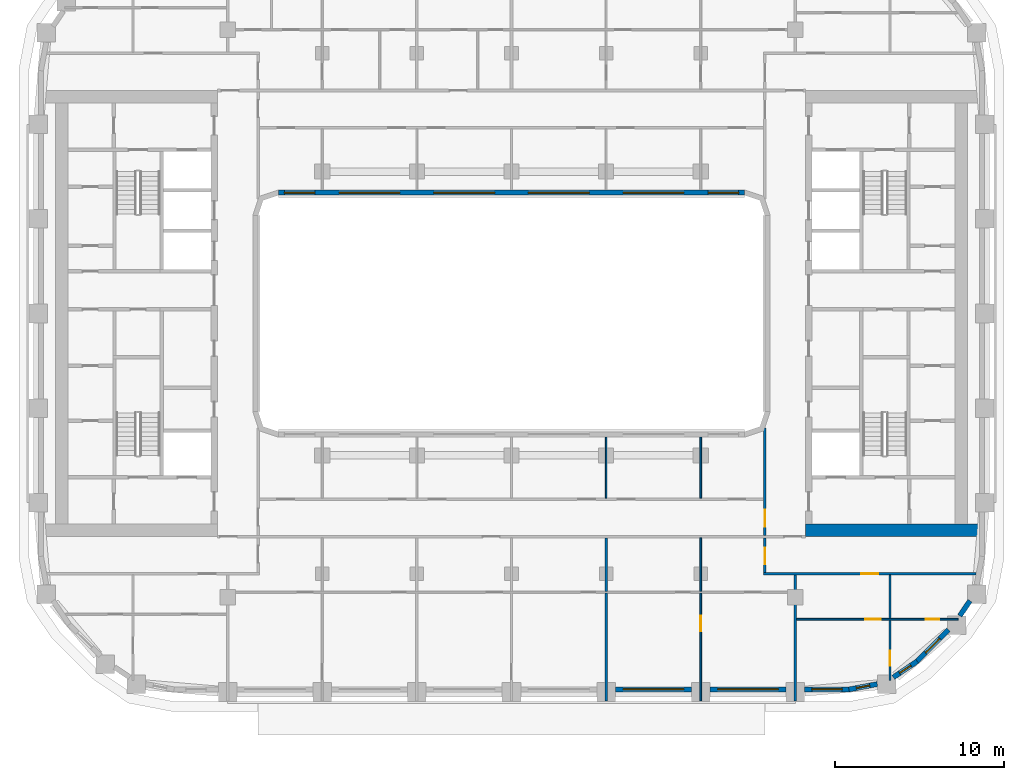
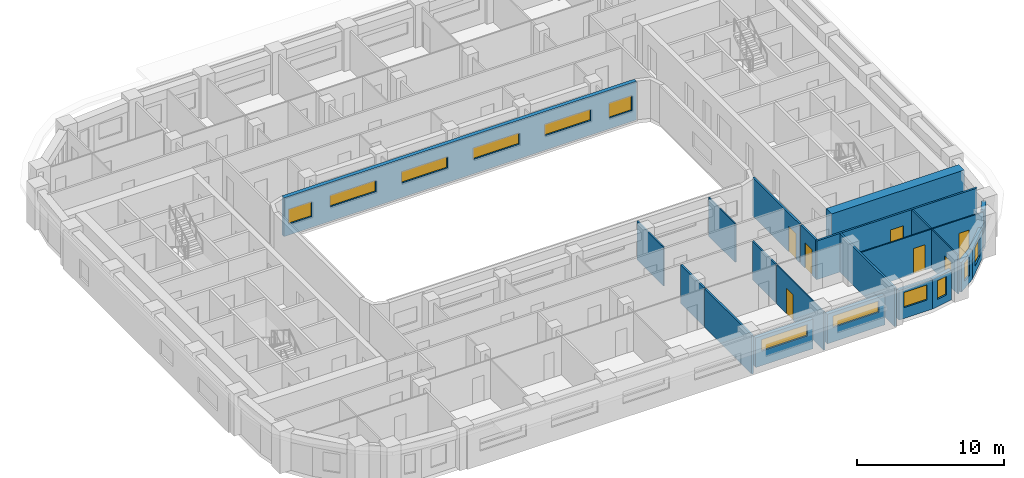
# One storey, part 5 of 22: 22 walls, 12 windows, 7 doors, 19 openings.
"""IFC4 building model written with IfcOpenShell, lengths in metres."""

from ifc_helpers import new_model, si_unit, direction, frame, frame_2d, origin, place, context, subcontext, project, spatial, rectangle, extrude, material, layer, layer_set, type_object, element, fill, save


model = new_model("IFC4")

# Units and contexts
model_context = context("Model", 3, precision=1e-05, world=origin(), true_north=direction((0.0, 1.0)))
body_context = subcontext(model_context, "Body", "Model", "MODEL_VIEW")
ifc_project = project(units=[si_unit("LENGTHUNIT", "METRE"), si_unit("AREAUNIT", "SQUARE_METRE"), si_unit("VOLUMEUNIT", "CUBIC_METRE"), si_unit("PLANEANGLEUNIT", "RADIAN"), si_unit("MASSUNIT", "GRAM", prefix="KILO")], contexts=[model_context])

# Site, building, storey
site_placement = place(None, origin())
site = spatial("IfcSite", under=ifc_project, at=site_placement, CompositionType="ELEMENT")
building_placement = place(site_placement, origin())
building = spatial("IfcBuilding", under=site, at=building_placement, Name="Kiln Ring Residences", CompositionType="ELEMENT")
storey_placement = place(building_placement, frame((0.0, 0.0, 153.60009765625)))
storey = spatial("IfcBuildingStorey", under=building, at=storey_placement, Name="L39", CompositionType="ELEMENT", Elevation=153.60009765625)

# Wall
ifc_material_1 = material(Name="Concrete C60/75", Category="concrete")
ifc_layer_1 = layer(ifc_material_1, 0.75)
ifc_layer_set_1 = layer_set([ifc_layer_1], Name="CORE-WALL-RC750")
wall_type_1 = type_object("IfcWallType", Name="CORE-WALL-RC750", PredefinedType="SHEAR", material=ifc_layer_set_1)
wall_1_placement = place(storey_placement, frame((17.39990234375, -12.824951171875, 0.0), z_axis=(0.0, 0.0, 1.0), x_axis=(1.0, 0.0, 0.0)))
element("IfcWall", 1, at=wall_1_placement, inside=storey, type_object=wall_type_1, Name="Core wall east L39 5", PredefinedType="SHEAR", context=body_context, shape_type="SweptSolid", body=[
    extrude(rectangle(XDim=10.400146484375, YDim=0.75, at=frame_2d((5.2001953125, 0.0))), origin(), (0.0, 0.0, 1.0), 3.199951171875),
])

# Wall, opening, window
ifc_material_2 = material(Name="Brick masonry, dark clay brick", Category="masonry")
ifc_layer_2 = layer(ifc_material_2, 0.300048828125)
ifc_layer_set_2 = layer_set([ifc_layer_2], Name="EW-300 BRICK WALL")
wall_type_2 = type_object("IfcWallType", Name="EW-300 BRICK WALL", PredefinedType="SOLIDWALL", material=ifc_layer_set_2)
wall_2_placement = place(storey_placement, frame((6.14990234375, -22.25, 0.0), z_axis=(0.0, 0.0, 1.0), x_axis=(1.0, 0.0, 0.0)))
wall_2 = element("IfcWall", 2, at=wall_2_placement, inside=storey, type_object=wall_type_2, Name="Facade wall L39 9", PredefinedType="SOLIDWALL", context=body_context, shape_type="SweptSolid", body=[
    extrude(rectangle(XDim=4.5, YDim=0.300048828125, at=frame_2d((2.25, 0.0))), origin(), (0.0, 0.0, 1.0), 2.449951171875),
])
opening_1_placement = place(wall_2_placement, frame((0.449951171875, 0.0, 1.199951171875)))
opening_1 = element("IfcOpeningElement", 3, at=opening_1_placement, cuts=wall_2, Name="Opening W4", PredefinedType="OPENING", context=body_context, shape_type="SweptSolid", body=[
    extrude(rectangle(XDim=3.60009765625, YDim=0.949951171875, at=frame_2d((1.800048828125, 0.47509765625))), frame((0.0, 0.159912109375, 0.0), z_axis=(0.0, -1.0, 0.0), x_axis=(1.0, 0.0, 0.0)), (0.0, 0.0, 1.0), 0.320068359375),
])
ifc_material_3 = material(Name="Aluminium frame with double glazing", Category="aluminium")
window_type_1 = type_object("IfcWindowType", Name="WINDOW 3600 x 950", PartitioningType="SINGLE_PANEL", PredefinedType="WINDOW", material=ifc_material_3)
window_1_placement = place(opening_1_placement, origin())
window_1 = element("IfcWindow", 4, at=window_1_placement, inside=storey, type_object=window_type_1, Name="Window L39 8", OverallHeight=0.949951171875, OverallWidth=3.60009765625, PartitioningType="SINGLE_PANEL", PredefinedType="WINDOW", context=body_context, shape_type="SweptSolid", body=[
    extrude(rectangle(XDim=3.60009765625, YDim=0.949951171875, at=frame_2d((1.800048828125, 0.47509765625))), frame((0.0, 0.030029296875, 0.0), z_axis=(0.0, -1.0, 0.0), x_axis=(1.0, 0.0, 0.0)), (0.0, 0.0, 1.0), 0.06005859375),
])
fill(opening_1, window_1)

wall_3_placement = place(storey_placement, frame((11.75, -22.25, 0.0), z_axis=(0.0, 0.0, 1.0), x_axis=(1.0, 0.0, 0.0)))
wall_3 = element("IfcWall", 5, at=wall_3_placement, inside=storey, type_object=wall_type_2, Name="Facade wall L39 10", PredefinedType="SOLIDWALL", context=body_context, shape_type="SweptSolid", body=[
    extrude(rectangle(XDim=4.5, YDim=0.300048828125, at=frame_2d((2.25, 0.0))), origin(), (0.0, 0.0, 1.0), 2.449951171875),
])
opening_2_placement = place(wall_3_placement, frame((0.449951171875, 0.0, 1.199951171875)))
opening_2 = element("IfcOpeningElement", 6, at=opening_2_placement, cuts=wall_3, Name="Opening W4", PredefinedType="OPENING", context=body_context, shape_type="SweptSolid", body=[
    extrude(rectangle(XDim=3.60009765625, YDim=0.949951171875, at=frame_2d((1.800048828125, 0.47509765625))), frame((0.0, 0.159912109375, 0.0), z_axis=(0.0, -1.0, 0.0), x_axis=(1.0, 0.0, 0.0)), (0.0, 0.0, 1.0), 0.320068359375),
])
window_2_placement = place(opening_2_placement, origin())
window_2 = element("IfcWindow", 7, at=window_2_placement, inside=storey, type_object=window_type_1, Name="Window L39 9", OverallHeight=0.949951171875, OverallWidth=3.60009765625, PartitioningType="SINGLE_PANEL", PredefinedType="WINDOW", context=body_context, shape_type="SweptSolid", body=[
    extrude(rectangle(XDim=3.60009765625, YDim=0.949951171875, at=frame_2d((1.800048828125, 0.47509765625))), frame((0.0, 0.030029296875, 0.0), z_axis=(0.0, -1.0, 0.0), x_axis=(1.0, 0.0, 0.0)), (0.0, 0.0, 1.0), 0.06005859375),
])
fill(opening_2, window_2)

wall_4_placement = place(storey_placement, frame((17.35009765625, -22.25, 0.0), z_axis=(0.0, 0.0, 1.0), x_axis=(1.0, 0.0, 0.0)))
wall_4 = element("IfcWall", 8, at=wall_4_placement, inside=storey, type_object=wall_type_2, Name="Facade wall L39 11", PredefinedType="SOLIDWALL", context=body_context, shape_type="SweptSolid", body=[
    extrude(rectangle(XDim=2.64990234375, YDim=0.300048828125, at=frame_2d((1.324951171875, 0.0))), origin(), (0.0, 0.0, 1.0), 2.449951171875),
])
opening_3_placement = place(wall_4_placement, frame((0.425048828125, 0.0, 0.89990234375)))
opening_3 = element("IfcOpeningElement", 9, at=opening_3_placement, cuts=wall_4, Name="Opening W2", PredefinedType="OPENING", context=body_context, shape_type="SweptSolid", body=[
    extrude(rectangle(XDim=1.800048828125, YDim=1.25, at=frame_2d((0.89990234375, 0.625))), frame((0.0, 0.159912109375, 0.0), z_axis=(0.0, -1.0, 0.0), x_axis=(1.0, 0.0, 0.0)), (0.0, 0.0, 1.0), 0.320068359375),
])
ifc_material_4 = material(Name="Aluminium frame with double glazing", Category="aluminium")
window_type_2 = type_object("IfcWindowType", Name="WINDOW 1800 x 1250", PartitioningType="SINGLE_PANEL", PredefinedType="WINDOW", material=ifc_material_4)
window_3_placement = place(opening_3_placement, origin())
window_3 = element("IfcWindow", 10, at=window_3_placement, inside=storey, type_object=window_type_2, Name="Window L39 10", OverallHeight=1.25, OverallWidth=1.800048828125, PartitioningType="SINGLE_PANEL", PredefinedType="WINDOW", context=body_context, shape_type="SweptSolid", body=[
    extrude(rectangle(XDim=1.800048828125, YDim=1.25, at=frame_2d((0.89990234375, 0.625))), frame((0.0, 0.030029296875, 0.0), z_axis=(0.0, -1.0, 0.0), x_axis=(1.0, 0.0, 0.0)), (0.0, 0.0, 1.0), 0.06005859375),
])
fill(opening_3, window_3)

wall_5_placement = place(storey_placement, frame((19.971923828125, -22.252685546875, 0.0), z_axis=(0.0, 0.0, 1.0), x_axis=(0.982297206936, 0.187329114784, 0.0)))
wall_5 = element("IfcWall", 11, at=wall_5_placement, inside=storey, type_object=wall_type_2, Name="Facade wall L39 12", PredefinedType="SOLIDWALL", context=body_context, shape_type="SweptSolid", body=[
    extrude(rectangle(XDim=1.7060546875, YDim=0.300048828125, at=frame_2d((0.85302734375, 0.0))), origin(), (0.0, 0.0, 1.0), 2.449951171875),
])
opening_4_placement = place(wall_5_placement, frame((0.453125, 0.0, 0.60009765625)))
opening_4 = element("IfcOpeningElement", 12, at=opening_4_placement, cuts=wall_5, Name="Opening W5", PredefinedType="OPENING", context=body_context, shape_type="SweptSolid", body=[
    extrude(rectangle(XDim=0.800048828125, YDim=1.550048828125, at=frame_2d((0.39990234375, 0.77490234375))), frame((0.0, 0.159912109375, 0.0), z_axis=(0.0, -1.0, 0.0), x_axis=(1.0, 0.0, 0.0)), (0.0, 0.0, 1.0), 0.320068359375),
])
ifc_material_5 = material(Name="Aluminium frame with double glazing", Category="aluminium")
window_type_3 = type_object("IfcWindowType", Name="WINDOW 800 x 1550", PartitioningType="SINGLE_PANEL", PredefinedType="WINDOW", material=ifc_material_5)
window_4_placement = place(opening_4_placement, origin())
window_4 = element("IfcWindow", 13, at=window_4_placement, inside=storey, type_object=window_type_3, Name="Window L39 11", OverallHeight=1.550048828125, OverallWidth=0.800048828125, PartitioningType="SINGLE_PANEL", PredefinedType="WINDOW", context=body_context, shape_type="SweptSolid", body=[
    extrude(rectangle(XDim=0.800048828125, YDim=1.550048828125, at=frame_2d((0.39990234375, 0.77490234375))), frame((0.0, 0.030029296875, 0.0), z_axis=(0.0, -1.0, 0.0), x_axis=(1.0, 0.0, 0.0)), (0.0, 0.0, 1.0), 0.06005859375),
])
fill(opening_4, window_4)

wall_6_placement = place(storey_placement, frame((22.601806640625, -21.537841796875, 0.0), z_axis=(0.0, 0.0, 1.0), x_axis=(0.827040942766, 0.562141689424, 0.0)))
wall_6 = element("IfcWall", 14, at=wall_6_placement, inside=storey, type_object=wall_type_2, Name="Facade wall L39 13", PredefinedType="SOLIDWALL", context=body_context, shape_type="SweptSolid", body=[
    extrude(rectangle(XDim=1.7060546875, YDim=0.300048828125, at=frame_2d((0.85302734375, 0.0))), origin(), (0.0, 0.0, 1.0), 2.449951171875),
])
opening_5_placement = place(wall_6_placement, frame((0.453125, 0.0, 0.60009765625)))
opening_5 = element("IfcOpeningElement", 15, at=opening_5_placement, cuts=wall_6, Name="Opening W5", PredefinedType="OPENING", context=body_context, shape_type="SweptSolid", body=[
    extrude(rectangle(XDim=0.800048828125, YDim=1.550048828125, at=frame_2d((0.39990234375, 0.77490234375))), frame((0.0, 0.159912109375, 0.0), z_axis=(0.0, -1.0, 0.0), x_axis=(1.0, 0.0, 0.0)), (0.0, 0.0, 1.0), 0.320068359375),
])
window_5_placement = place(opening_5_placement, origin())
window_5 = element("IfcWindow", 16, at=window_5_placement, inside=storey, type_object=window_type_3, Name="Window L39 12", OverallHeight=1.550048828125, OverallWidth=0.800048828125, PartitioningType="SINGLE_PANEL", PredefinedType="WINDOW", context=body_context, shape_type="SweptSolid", body=[
    extrude(rectangle(XDim=0.800048828125, YDim=1.550048828125, at=frame_2d((0.39990234375, 0.77490234375))), frame((0.0, 0.030029296875, 0.0), z_axis=(0.0, -1.0, 0.0), x_axis=(1.0, 0.0, 0.0)), (0.0, 0.0, 1.0), 0.06005859375),
])
fill(opening_5, window_5)

wall_7_placement = place(storey_placement, frame((23.990966796875, -20.596923828125, 0.0), z_axis=(0.0, 0.0, 1.0), x_axis=(0.707106781187, 0.707106781187, 0.0)))
wall_7 = element("IfcWall", 17, at=wall_7_placement, inside=storey, type_object=wall_type_2, Name="Facade wall L39 14", PredefinedType="SOLIDWALL", context=body_context, shape_type="SweptSolid", body=[
    extrude(rectangle(XDim=2.64990234375, YDim=0.300048828125, at=frame_2d((1.324951171875, 0.0))), origin(), (0.0, 0.0, 1.0), 2.449951171875),
])
opening_6_placement = place(wall_7_placement, frame((0.72509765625, 0.0, 0.60009765625)))
opening_6 = element("IfcOpeningElement", 18, at=opening_6_placement, cuts=wall_7, Name="Opening W1", PredefinedType="OPENING", context=body_context, shape_type="SweptSolid", body=[
    extrude(rectangle(XDim=1.199951171875, YDim=1.550048828125, at=frame_2d((0.60009765625, 0.77490234375))), frame((0.0, 0.159912109375, 0.0), z_axis=(0.0, -1.0, 0.0), x_axis=(1.0, 0.0, 0.0)), (0.0, 0.0, 1.0), 0.320068359375),
])
ifc_material_6 = material(Name="Aluminium frame with double glazing", Category="aluminium")
window_type_4 = type_object("IfcWindowType", Name="WINDOW 1200 x 1550", PartitioningType="SINGLE_PANEL", PredefinedType="WINDOW", material=ifc_material_6)
window_6_placement = place(opening_6_placement, origin())
window_6 = element("IfcWindow", 19, at=window_6_placement, inside=storey, type_object=window_type_4, Name="Window L39 13", OverallHeight=1.550048828125, OverallWidth=1.199951171875, PartitioningType="SINGLE_PANEL", PredefinedType="WINDOW", context=body_context, shape_type="SweptSolid", body=[
    extrude(rectangle(XDim=1.199951171875, YDim=1.550048828125, at=frame_2d((0.60009765625, 0.77490234375))), frame((0.0, 0.030029296875, 0.0), z_axis=(0.0, -1.0, 0.0), x_axis=(1.0, 0.0, 0.0)), (0.0, 0.0, 1.0), 0.06005859375),
])
fill(opening_6, window_6)

# Wall
wall_8_placement = place(storey_placement, frame((26.532470703125, -17.892578125, 0.0), z_axis=(0.0, 0.0, 1.0), x_axis=(0.562105419172, 0.82706559458, 0.0)))
element("IfcWall", 20, at=wall_8_placement, inside=storey, type_object=wall_type_2, Name="Facade wall L39 15", PredefinedType="SOLIDWALL", context=body_context, shape_type="SweptSolid", body=[
    extrude(rectangle(XDim=1.0771484375, YDim=0.300048828125, at=frame_2d((0.53857421875, 0.0))), origin(), (0.0, 0.0, 1.0), 3.199951171875),
])

# Wall, openings, windows
wall_9_placement = place(storey_placement, frame((-13.800048828125, 7.14990234375, 0.0), z_axis=(0.0, 0.0, 1.0), x_axis=(1.0, 0.0, 0.0)))
wall_9 = element("IfcWall", 21, at=wall_9_placement, inside=storey, type_object=wall_type_2, Name="Facade wall L39 50", PredefinedType="SOLIDWALL", context=body_context, shape_type="SweptSolid", body=[
    extrude(rectangle(XDim=27.60009765625, YDim=0.300048828125, at=frame_2d((13.800048828125, 0.0))), origin(), (0.0, 0.0, 1.0), 3.199951171875),
])
opening_7_placement = place(wall_9_placement, frame((0.362548828125, 0.0, 0.89990234375)))
opening_7 = element("IfcOpeningElement", 22, at=opening_7_placement, cuts=wall_9, Name="Opening W2", PredefinedType="OPENING", context=body_context, shape_type="SweptSolid", body=[
    extrude(rectangle(XDim=1.800048828125, YDim=1.25, at=frame_2d((0.89990234375, 0.625))), frame((0.0, 0.159912109375, 0.0), z_axis=(0.0, -1.0, 0.0), x_axis=(1.0, 0.0, 0.0)), (0.0, 0.0, 1.0), 0.320068359375),
])
opening_8_placement = place(wall_9_placement, frame((3.60009765625, 0.0, 1.199951171875)))
opening_8 = element("IfcOpeningElement", 23, at=opening_8_placement, cuts=wall_9, Name="Opening W4", PredefinedType="OPENING", context=body_context, shape_type="SweptSolid", body=[
    extrude(rectangle(XDim=3.60009765625, YDim=0.949951171875, at=frame_2d((1.800048828125, 0.47509765625))), frame((0.0, 0.159912109375, 0.0), z_axis=(0.0, -1.0, 0.0), x_axis=(1.0, 0.0, 0.0)), (0.0, 0.0, 1.0), 0.320068359375),
])
opening_9_placement = place(wall_9_placement, frame((9.199951171875, 0.0, 1.199951171875)))
opening_9 = element("IfcOpeningElement", 24, at=opening_9_placement, cuts=wall_9, Name="Opening W4", PredefinedType="OPENING", context=body_context, shape_type="SweptSolid", body=[
    extrude(rectangle(XDim=3.60009765625, YDim=0.949951171875, at=frame_2d((1.800048828125, 0.47509765625))), frame((0.0, 0.159912109375, 0.0), z_axis=(0.0, -1.0, 0.0), x_axis=(1.0, 0.0, 0.0)), (0.0, 0.0, 1.0), 0.320068359375),
])
opening_10_placement = place(wall_9_placement, frame((14.800048828125, 0.0, 1.199951171875)))
opening_10 = element("IfcOpeningElement", 25, at=opening_10_placement, cuts=wall_9, Name="Opening W4", PredefinedType="OPENING", context=body_context, shape_type="SweptSolid", body=[
    extrude(rectangle(XDim=3.60009765625, YDim=0.949951171875, at=frame_2d((1.800048828125, 0.47509765625))), frame((0.0, 0.159912109375, 0.0), z_axis=(0.0, -1.0, 0.0), x_axis=(1.0, 0.0, 0.0)), (0.0, 0.0, 1.0), 0.320068359375),
])
opening_11_placement = place(wall_9_placement, frame((20.39990234375, 0.0, 1.199951171875)))
opening_11 = element("IfcOpeningElement", 26, at=opening_11_placement, cuts=wall_9, Name="Opening W4", PredefinedType="OPENING", context=body_context, shape_type="SweptSolid", body=[
    extrude(rectangle(XDim=3.60009765625, YDim=0.949951171875, at=frame_2d((1.800048828125, 0.47509765625))), frame((0.0, 0.159912109375, 0.0), z_axis=(0.0, -1.0, 0.0), x_axis=(1.0, 0.0, 0.0)), (0.0, 0.0, 1.0), 0.320068359375),
])
opening_12_placement = place(wall_9_placement, frame((25.4375, 0.0, 0.89990234375)))
opening_12 = element("IfcOpeningElement", 27, at=opening_12_placement, cuts=wall_9, Name="Opening W2", PredefinedType="OPENING", context=body_context, shape_type="SweptSolid", body=[
    extrude(rectangle(XDim=1.800048828125, YDim=1.25, at=frame_2d((0.89990234375, 0.625))), frame((0.0, 0.159912109375, 0.0), z_axis=(0.0, -1.0, 0.0), x_axis=(1.0, 0.0, 0.0)), (0.0, 0.0, 1.0), 0.320068359375),
])
window_7_placement = place(opening_7_placement, origin())
window_7 = element("IfcWindow", 28, at=window_7_placement, inside=storey, type_object=window_type_2, Name="Window L39 28", OverallHeight=1.25, OverallWidth=1.800048828125, PartitioningType="SINGLE_PANEL", PredefinedType="WINDOW", context=body_context, shape_type="SweptSolid", body=[
    extrude(rectangle(XDim=1.800048828125, YDim=1.25, at=frame_2d((0.89990234375, 0.625))), frame((0.0, 0.030029296875, 0.0), z_axis=(0.0, -1.0, 0.0), x_axis=(1.0, 0.0, 0.0)), (0.0, 0.0, 1.0), 0.06005859375),
])
fill(opening_7, window_7)
window_8_placement = place(opening_12_placement, origin())
window_8 = element("IfcWindow", 29, at=window_8_placement, inside=storey, type_object=window_type_2, Name="Window L39 33", OverallHeight=1.25, OverallWidth=1.800048828125, PartitioningType="SINGLE_PANEL", PredefinedType="WINDOW", context=body_context, shape_type="SweptSolid", body=[
    extrude(rectangle(XDim=1.800048828125, YDim=1.25, at=frame_2d((0.89990234375, 0.625))), frame((0.0, 0.030029296875, 0.0), z_axis=(0.0, -1.0, 0.0), x_axis=(1.0, 0.0, 0.0)), (0.0, 0.0, 1.0), 0.06005859375),
])
fill(opening_12, window_8)
window_9_placement = place(opening_8_placement, origin())
window_9 = element("IfcWindow", 30, at=window_9_placement, inside=storey, type_object=window_type_1, Name="Window L39 29", OverallHeight=0.949951171875, OverallWidth=3.60009765625, PartitioningType="SINGLE_PANEL", PredefinedType="WINDOW", context=body_context, shape_type="SweptSolid", body=[
    extrude(rectangle(XDim=3.60009765625, YDim=0.949951171875, at=frame_2d((1.800048828125, 0.47509765625))), frame((0.0, 0.030029296875, 0.0), z_axis=(0.0, -1.0, 0.0), x_axis=(1.0, 0.0, 0.0)), (0.0, 0.0, 1.0), 0.06005859375),
])
fill(opening_8, window_9)
window_10_placement = place(opening_9_placement, origin())
window_10 = element("IfcWindow", 31, at=window_10_placement, inside=storey, type_object=window_type_1, Name="Window L39 30", OverallHeight=0.949951171875, OverallWidth=3.60009765625, PartitioningType="SINGLE_PANEL", PredefinedType="WINDOW", context=body_context, shape_type="SweptSolid", body=[
    extrude(rectangle(XDim=3.60009765625, YDim=0.949951171875, at=frame_2d((1.800048828125, 0.47509765625))), frame((0.0, 0.030029296875, 0.0), z_axis=(0.0, -1.0, 0.0), x_axis=(1.0, 0.0, 0.0)), (0.0, 0.0, 1.0), 0.06005859375),
])
fill(opening_9, window_10)
window_11_placement = place(opening_10_placement, origin())
window_11 = element("IfcWindow", 32, at=window_11_placement, inside=storey, type_object=window_type_1, Name="Window L39 31", OverallHeight=0.949951171875, OverallWidth=3.60009765625, PartitioningType="SINGLE_PANEL", PredefinedType="WINDOW", context=body_context, shape_type="SweptSolid", body=[
    extrude(rectangle(XDim=3.60009765625, YDim=0.949951171875, at=frame_2d((1.800048828125, 0.47509765625))), frame((0.0, 0.030029296875, 0.0), z_axis=(0.0, -1.0, 0.0), x_axis=(1.0, 0.0, 0.0)), (0.0, 0.0, 1.0), 0.06005859375),
])
fill(opening_10, window_11)
window_12_placement = place(opening_11_placement, origin())
window_12 = element("IfcWindow", 33, at=window_12_placement, inside=storey, type_object=window_type_1, Name="Window L39 32", OverallHeight=0.949951171875, OverallWidth=3.60009765625, PartitioningType="SINGLE_PANEL", PredefinedType="WINDOW", context=body_context, shape_type="SweptSolid", body=[
    extrude(rectangle(XDim=3.60009765625, YDim=0.949951171875, at=frame_2d((1.800048828125, 0.47509765625))), frame((0.0, 0.030029296875, 0.0), z_axis=(0.0, -1.0, 0.0), x_axis=(1.0, 0.0, 0.0)), (0.0, 0.0, 1.0), 0.06005859375),
])
fill(opening_11, window_12)

# Wall, openings, doors
ifc_material_7 = material(Name="Gypsum board on steel studs", Category="steel")
ifc_layer_3 = layer(ifc_material_7, 0.10009765625)
ifc_layer_set_3 = layer_set([ifc_layer_3], Name="PARTITION-100")
wall_type_3 = type_object("IfcWallType", Name="PARTITION-100", PredefinedType="PARTITIONING", material=ifc_layer_set_3)
wall_10_placement = place(storey_placement, frame((16.875, -18.10009765625, 0.0), z_axis=(0.0, 0.0, 1.0), x_axis=(1.0, 0.0, 0.0)))
wall_10 = element("IfcWall", 34, at=wall_10_placement, inside=storey, type_object=wall_type_3, Name="Partition 000", PredefinedType="PARTITIONING", context=body_context, shape_type="SweptSolid", body=[
    extrude(rectangle(XDim=9.56494140625, YDim=0.10009765625, at=frame_2d((4.782470703125, 0.0))), origin(), (0.0, 0.0, 1.0), 3.199951171875),
])
opening_13_placement = place(wall_10_placement, frame((7.638916015625, 0.0, 0.0)))
opening_13 = element("IfcOpeningElement", 35, at=opening_13_placement, cuts=wall_10, Name="Opening L39-D057", PredefinedType="OPENING", context=body_context, shape_type="SweptSolid", body=[
    extrude(rectangle(XDim=0.800048828125, YDim=2.10009765625, at=frame_2d((0.39990234375, 1.050048828125))), frame((0.0, 0.06005859375, 0.0), z_axis=(0.0, -1.0, 0.0), x_axis=(1.0, 0.0, 0.0)), (0.0, 0.0, 1.0), 0.1201171875),
])
opening_14_placement = place(wall_10_placement, frame((4.074951171875, 0.0, 0.0)))
opening_14 = element("IfcOpeningElement", 36, at=opening_14_placement, cuts=wall_10, Name="Opening L39-D058", PredefinedType="OPENING", context=body_context, shape_type="SweptSolid", body=[
    extrude(rectangle(XDim=0.89990234375, YDim=2.10009765625, at=frame_2d((0.449951171875, 1.050048828125))), frame((0.0, 0.06005859375, 0.0), z_axis=(0.0, -1.0, 0.0), x_axis=(1.0, 0.0, 0.0)), (0.0, 0.0, 1.0), 0.1201171875),
])
ifc_material_8 = material(Name="Timber door leaf", Category="wood")
door_type_1 = type_object("IfcDoorType", Name="FLAT-DOOR-800-PL", OperationType="SINGLE_SWING_LEFT", PredefinedType="DOOR", material=ifc_material_8)
door_1_placement = place(opening_13_placement, origin())
door_1 = element("IfcDoor", 37, at=door_1_placement, inside=storey, type_object=door_type_1, Name="Door L39-D057", OperationType="SINGLE_SWING_LEFT", OverallHeight=2.10009765625, OverallWidth=0.800048828125, PredefinedType="DOOR", context=body_context, shape_type="SweptSolid", body=[
    extrude(rectangle(XDim=0.800048828125, YDim=2.10009765625, at=frame_2d((0.39990234375, 1.050048828125))), frame((0.0, 0.02490234375, 0.0), z_axis=(0.0, -1.0, 0.0), x_axis=(1.0, 0.0, 0.0)), (0.0, 0.0, 1.0), 0.050048828125),
])
fill(opening_13, door_1)
ifc_material_9 = material(Name="Timber door leaf", Category="wood")
door_type_2 = type_object("IfcDoorType", Name="FLAT-DOOR-900-PL", OperationType="SINGLE_SWING_LEFT", PredefinedType="DOOR", material=ifc_material_9)
door_2_placement = place(opening_14_placement, origin())
door_2 = element("IfcDoor", 38, at=door_2_placement, inside=storey, type_object=door_type_2, Name="Door L39-D058", OperationType="SINGLE_SWING_RIGHT", OverallHeight=2.10009765625, OverallWidth=0.89990234375, PredefinedType="DOOR", context=body_context, shape_type="SweptSolid", body=[
    extrude(rectangle(XDim=0.89990234375, YDim=2.10009765625, at=frame_2d((0.449951171875, 1.050048828125))), frame((0.0, 0.02490234375, 0.0), z_axis=(0.0, -1.0, 0.0), x_axis=(1.0, 0.0, 0.0)), (0.0, 0.0, 1.0), 0.050048828125),
])
fill(opening_14, door_2)

# Wall
wall_11_placement = place(storey_placement, frame((5.60009765625, -10.925048828125, 0.0), z_axis=(0.0, 0.0, 1.0), x_axis=(0.0, 1.0, 0.0)))
element("IfcWall", 39, at=wall_11_placement, inside=storey, type_object=wall_type_3, Name="Partition 045", PredefinedType="PARTITIONING", context=body_context, shape_type="SweptSolid", body=[
    extrude(rectangle(XDim=3.60498046875, YDim=0.10009765625, at=frame_2d((1.802490234375, 0.0))), origin(), (0.0, 0.0, 1.0), 3.199951171875),
])

# Wall, opening, door
wall_12_placement = place(storey_placement, frame((11.199951171875, -22.929931640625, 0.0), z_axis=(0.0, 0.0, 1.0), x_axis=(0.0, 1.0, 0.0)))
wall_12 = element("IfcWall", 40, at=wall_12_placement, inside=storey, type_object=wall_type_3, Name="Partition 051", PredefinedType="PARTITIONING", context=body_context, shape_type="SweptSolid", body=[
    extrude(rectangle(XDim=6.3798828125, YDim=0.10009765625, at=frame_2d((3.18994140625, 0.0))), origin(), (0.0, 0.0, 1.0), 3.199951171875),
])
opening_15_placement = place(wall_12_placement, frame((4.1298828125, 0.0, 0.0)))
opening_15 = element("IfcOpeningElement", 41, at=opening_15_placement, cuts=wall_12, Name="Opening L39-D055", PredefinedType="OPENING", context=body_context, shape_type="SweptSolid", body=[
    extrude(rectangle(XDim=0.89990234375, YDim=2.10009765625, at=frame_2d((0.449951171875, 1.050048828125))), frame((0.0, 0.06005859375, 0.0), z_axis=(0.0, -1.0, 0.0), x_axis=(1.0, 0.0, 0.0)), (0.0, 0.0, 1.0), 0.1201171875),
])
door_3_placement = place(opening_15_placement, origin())
door_3 = element("IfcDoor", 42, at=door_3_placement, inside=storey, type_object=door_type_2, Name="Door L39-D055", OperationType="SINGLE_SWING_LEFT", OverallHeight=2.10009765625, OverallWidth=0.89990234375, PredefinedType="DOOR", context=body_context, shape_type="SweptSolid", body=[
    extrude(rectangle(XDim=0.89990234375, YDim=2.10009765625, at=frame_2d((0.449951171875, 1.050048828125))), frame((0.0, 0.02490234375, 0.0), z_axis=(0.0, -1.0, 0.0), x_axis=(1.0, 0.0, 0.0)), (0.0, 0.0, 1.0), 0.050048828125),
])
fill(opening_15, door_3)

# Walls
wall_13_placement = place(storey_placement, frame((11.199951171875, -16.449951171875, 0.0), z_axis=(0.0, 0.0, 1.0), x_axis=(0.0, 1.0, 0.0)))
element("IfcWall", 43, at=wall_13_placement, inside=storey, type_object=wall_type_3, Name="Partition 052", PredefinedType="PARTITIONING", context=body_context, shape_type="SweptSolid", body=[
    extrude(rectangle(XDim=3.175048828125, YDim=0.10009765625, at=frame_2d((1.58740234375, 0.0))), origin(), (0.0, 0.0, 1.0), 3.199951171875),
])
wall_14_placement = place(storey_placement, frame((11.199951171875, -10.925048828125, 0.0), z_axis=(0.0, 0.0, 1.0), x_axis=(0.0, 1.0, 0.0)))
element("IfcWall", 44, at=wall_14_placement, inside=storey, type_object=wall_type_3, Name="Partition 053", PredefinedType="PARTITIONING", context=body_context, shape_type="SweptSolid", body=[
    extrude(rectangle(XDim=3.60498046875, YDim=0.10009765625, at=frame_2d((1.802490234375, 0.0))), origin(), (0.0, 0.0, 1.0), 3.199951171875),
])

# Wall, opening, door
wall_15_placement = place(storey_placement, frame((22.39990234375, -21.719970703125, 0.0), z_axis=(0.0, 0.0, 1.0), x_axis=(0.0, 1.0, 0.0)))
wall_15 = element("IfcWall", 45, at=wall_15_placement, inside=storey, type_object=wall_type_3, Name="Partition 063", PredefinedType="PARTITIONING", context=body_context, shape_type="SweptSolid", body=[
    extrude(rectangle(XDim=3.570068359375, YDim=0.10009765625, at=frame_2d((1.78515625, 0.0))), origin(), (0.0, 0.0, 1.0), 3.199951171875),
])
opening_16_placement = place(wall_15_placement, frame((0.8720703125, 0.0, 0.0)))
opening_16 = element("IfcOpeningElement", 46, at=opening_16_placement, cuts=wall_15, Name="Opening L39-D059", PredefinedType="OPENING", context=body_context, shape_type="SweptSolid", body=[
    extrude(rectangle(XDim=0.89990234375, YDim=2.10009765625, at=frame_2d((0.449951171875, 1.050048828125))), frame((0.0, 0.06005859375, 0.0), z_axis=(0.0, -1.0, 0.0), x_axis=(1.0, 0.0, 0.0)), (0.0, 0.0, 1.0), 0.1201171875),
])
door_4_placement = place(opening_16_placement, origin())
door_4 = element("IfcDoor", 47, at=door_4_placement, inside=storey, type_object=door_type_2, Name="Door L39-D059", OperationType="SINGLE_SWING_LEFT", OverallHeight=2.10009765625, OverallWidth=0.89990234375, PredefinedType="DOOR", context=body_context, shape_type="SweptSolid", body=[
    extrude(rectangle(XDim=0.89990234375, YDim=2.10009765625, at=frame_2d((0.449951171875, 1.050048828125))), frame((0.0, 0.02490234375, 0.0), z_axis=(0.0, -1.0, 0.0), x_axis=(1.0, 0.0, 0.0)), (0.0, 0.0, 1.0), 0.050048828125),
])
fill(opening_16, door_4)

# Wall
wall_16_placement = place(storey_placement, frame((22.39990234375, -18.050048828125, 0.0), z_axis=(0.0, 0.0, 1.0), x_axis=(0.0, 1.0, 0.0)))
element("IfcWall", 48, at=wall_16_placement, inside=storey, type_object=wall_type_3, Name="Partition 064", PredefinedType="PARTITIONING", context=body_context, shape_type="SweptSolid", body=[
    extrude(rectangle(XDim=2.574951171875, YDim=0.10009765625, at=frame_2d((1.28759765625, 0.0))), origin(), (0.0, 0.0, 1.0), 3.199951171875),
])

# Wall, opening, door
ifc_material_10 = material(Name="Brick masonry partition", Category="masonry")
ifc_layer_4 = layer(ifc_material_10, 0.14990234375)
ifc_layer_set_4 = layer_set([ifc_layer_4], Name="PARTITION-150-ei60")
wall_type_4 = type_object("IfcWallType", Name="PARTITION-150-ei60", PredefinedType="PARTITIONING", material=ifc_layer_set_4)
wall_17_placement = place(storey_placement, frame((14.925048828125, -15.39990234375, 0.0), z_axis=(0.0, 0.0, 1.0), x_axis=(1.0, 0.0, 0.0)))
wall_17 = element("IfcWall", 49, at=wall_17_placement, inside=storey, type_object=wall_type_4, Name="Partition 004", PredefinedType="PARTITIONING", context=body_context, shape_type="SweptSolid", body=[
    extrude(rectangle(XDim=12.558837890625, YDim=0.14990234375, at=frame_2d((6.279296875, 0.0))), origin(), (0.0, 0.0, 1.0), 3.199951171875),
])
opening_17_placement = place(wall_17_placement, frame((5.77490234375, 0.0, 0.0)))
opening_17 = element("IfcOpeningElement", 50, at=opening_17_placement, cuts=wall_17, Name="Opening L39-D056", PredefinedType="OPENING", context=body_context, shape_type="SweptSolid", body=[
    extrude(rectangle(XDim=1.0, YDim=2.10009765625, at=frame_2d((0.5, 1.050048828125))), frame((0.0, 0.0849609375, 0.0), z_axis=(0.0, -1.0, 0.0), x_axis=(1.0, 0.0, 0.0)), (0.0, 0.0, 1.0), 0.169921875),
])
ifc_material_11 = material(Name="Steel faced fire door leaf", Category="steel")
door_type_3 = type_object("IfcDoorType", Name="FLAT-DOOR-1000-FR", OperationType="SINGLE_SWING_LEFT", PredefinedType="DOOR", material=ifc_material_11)
door_5_placement = place(opening_17_placement, origin())
door_5 = element("IfcDoor", 51, at=door_5_placement, inside=storey, type_object=door_type_3, Name="Door L39-D056", OperationType="SINGLE_SWING_RIGHT", OverallHeight=2.10009765625, OverallWidth=1.0, PredefinedType="DOOR", context=body_context, shape_type="SweptSolid", body=[
    extrude(rectangle(XDim=1.0, YDim=2.10009765625, at=frame_2d((0.5, 1.050048828125))), frame((0.0, 0.02490234375, 0.0), z_axis=(0.0, -1.0, 0.0), x_axis=(1.0, 0.0, 0.0)), (0.0, 0.0, 1.0), 0.050048828125),
])
fill(opening_17, door_5)

# Walls
wall_18_placement = place(storey_placement, frame((5.60009765625, -22.929931640625, 0.0), z_axis=(0.0, 0.0, 1.0), x_axis=(0.0, 1.0, 0.0)))
element("IfcWall", 52, at=wall_18_placement, inside=storey, type_object=wall_type_4, Name="Partition 049", PredefinedType="PARTITIONING", context=body_context, shape_type="SweptSolid", body=[
    extrude(rectangle(XDim=6.3798828125, YDim=0.14990234375, at=frame_2d((3.18994140625, 0.0))), origin(), (0.0, 0.0, 1.0), 3.199951171875),
])
wall_19_placement = place(storey_placement, frame((5.60009765625, -16.449951171875, 0.0), z_axis=(0.0, 0.0, 1.0), x_axis=(0.0, 1.0, 0.0)))
element("IfcWall", 53, at=wall_19_placement, inside=storey, type_object=wall_type_4, Name="Partition 050", PredefinedType="PARTITIONING", context=body_context, shape_type="SweptSolid", body=[
    extrude(rectangle(XDim=3.175048828125, YDim=0.14990234375, at=frame_2d((1.58740234375, 0.0))), origin(), (0.0, 0.0, 1.0), 3.199951171875),
])

# Wall, opening, door
wall_20_placement = place(storey_placement, frame((15.0, -15.324951171875, 0.0), z_axis=(0.0, 0.0, 1.0), x_axis=(0.0, 1.0, 0.0)))
wall_20 = element("IfcWall", 54, at=wall_20_placement, inside=storey, type_object=wall_type_4, Name="Partition 057", PredefinedType="PARTITIONING", context=body_context, shape_type="SweptSolid", body=[
    extrude(rectangle(XDim=2.050048828125, YDim=0.14990234375, at=frame_2d((1.02490234375, 0.0))), origin(), (0.0, 0.0, 1.0), 3.199951171875),
])
opening_18_placement = place(wall_20_placement, frame((0.47412109375, 0.0, 0.0)))
opening_18 = element("IfcOpeningElement", 55, at=opening_18_placement, cuts=wall_20, Name="Opening L39-D052", PredefinedType="OPENING", context=body_context, shape_type="SweptSolid", body=[
    extrude(rectangle(XDim=1.0, YDim=2.10009765625, at=frame_2d((0.5, 1.050048828125))), frame((0.0, 0.0849609375, 0.0), z_axis=(0.0, -1.0, 0.0), x_axis=(1.0, 0.0, 0.0)), (0.0, 0.0, 1.0), 0.169921875),
])
door_6_placement = place(opening_18_placement, origin())
door_6 = element("IfcDoor", 56, at=door_6_placement, inside=storey, type_object=door_type_3, Name="Door L39-D052", OperationType="SINGLE_SWING_RIGHT", OverallHeight=2.10009765625, OverallWidth=1.0, PredefinedType="DOOR", context=body_context, shape_type="SweptSolid", body=[
    extrude(rectangle(XDim=1.0, YDim=2.10009765625, at=frame_2d((0.5, 1.050048828125))), frame((0.0, 0.02490234375, 0.0), z_axis=(0.0, -1.0, 0.0), x_axis=(1.0, 0.0, 0.0)), (0.0, 0.0, 1.0), 0.050048828125),
])
fill(opening_18, door_6)

wall_21_placement = place(storey_placement, frame((15.0, -13.125, 0.0), z_axis=(0.0, 0.0, 1.0), x_axis=(0.0, 1.0, 0.0)))
wall_21 = element("IfcWall", 57, at=wall_21_placement, inside=storey, type_object=wall_type_4, Name="Partition 058", PredefinedType="PARTITIONING", context=body_context, shape_type="SweptSolid", body=[
    extrude(rectangle(XDim=6.356201171875, YDim=0.14990234375, at=frame_2d((3.17822265625, 0.0))), origin(), (0.0, 0.0, 1.0), 3.199951171875),
])
opening_19_placement = place(wall_21_placement, frame((0.49609375, 0.0, 0.0)))
opening_19 = element("IfcOpeningElement", 58, at=opening_19_placement, cuts=wall_21, Name="Opening L39-D006", PredefinedType="OPENING", context=body_context, shape_type="SweptSolid", body=[
    extrude(rectangle(XDim=1.0, YDim=2.10009765625, at=frame_2d((0.5, 1.050048828125))), frame((0.0, 0.0849609375, 0.0), z_axis=(0.0, -1.0, 0.0), x_axis=(1.0, 0.0, 0.0)), (0.0, 0.0, 1.0), 0.169921875),
])
door_7_placement = place(opening_19_placement, origin())
door_7 = element("IfcDoor", 59, at=door_7_placement, inside=storey, type_object=door_type_3, Name="Door L39-D006", OperationType="SINGLE_SWING_LEFT", OverallHeight=2.10009765625, OverallWidth=1.0, PredefinedType="DOOR", context=body_context, shape_type="SweptSolid", body=[
    extrude(rectangle(XDim=1.0, YDim=2.10009765625, at=frame_2d((0.5, 1.050048828125))), frame((0.0, 0.02490234375, 0.0), z_axis=(0.0, -1.0, 0.0), x_axis=(1.0, 0.0, 0.0)), (0.0, 0.0, 1.0), 0.050048828125),
])
fill(opening_19, door_7)

# Wall
wall_22_placement = place(storey_placement, frame((16.800048828125, -22.929931640625, 0.0), z_axis=(0.0, 0.0, 1.0), x_axis=(0.0, 1.0, 0.0)))
element("IfcWall", 60, at=wall_22_placement, inside=storey, type_object=wall_type_4, Name="Partition 061", PredefinedType="PARTITIONING", context=body_context, shape_type="SweptSolid", body=[
    extrude(rectangle(XDim=7.454833984375, YDim=0.14990234375, at=frame_2d((3.7275390625, 0.0))), origin(), (0.0, 0.0, 1.0), 3.199951171875),
])

save(model, "model.ifc")
